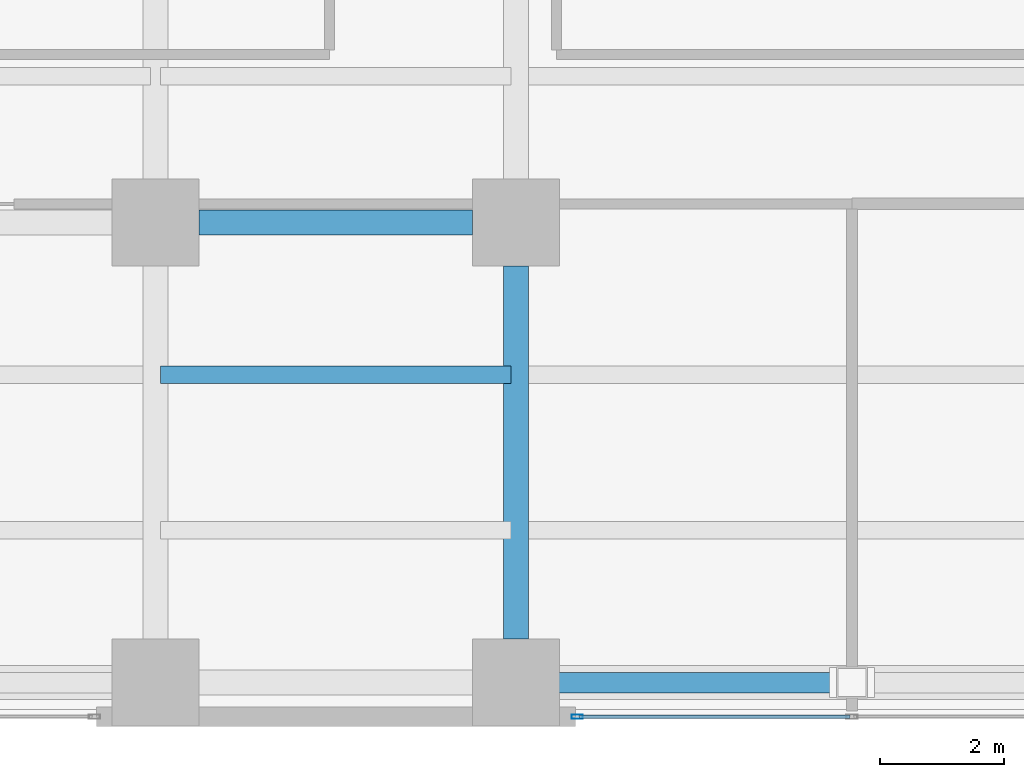
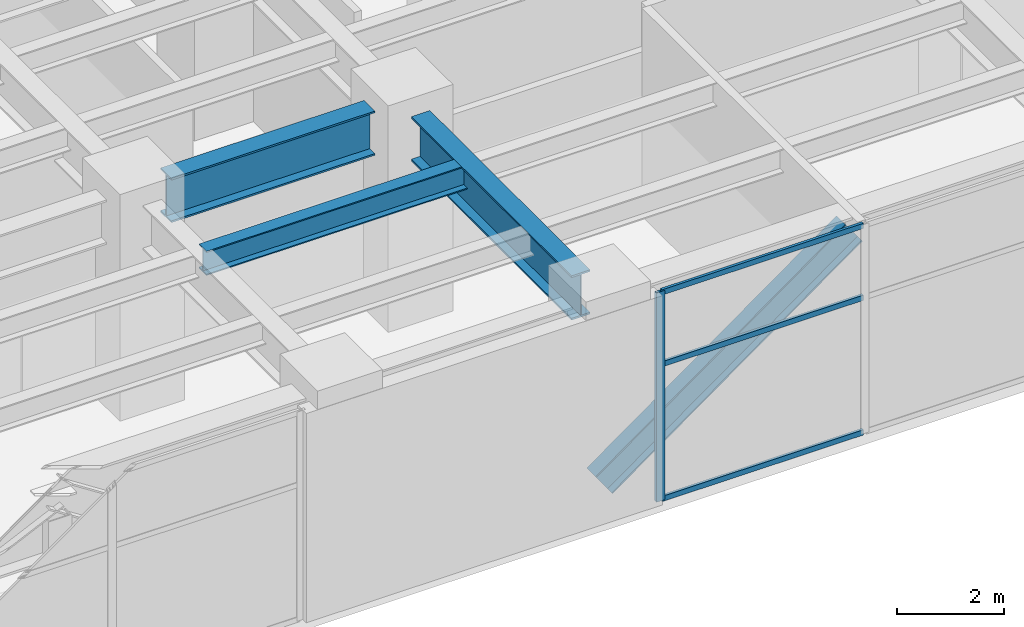
# One storey, part 6 of 29: 4 beams, 4 members, 1 element without a shape of its own.
"""IFC4 building model written with IfcOpenShell, lengths in metres."""

from ifc_helpers import new_model, si_unit, direction, frame, origin, origin_2d, place, context, subcontext, project, spatial, hollow_rectangle, i_section, extrude, material, layer, layer_set, material_profile, profile_set, type_object, element, aggregate, save


model = new_model("IFC4")

# Units and contexts
model_context = context("Model", 3, precision=1e-05, world=origin(), true_north=direction((0.0, 1.0)))
body_context = subcontext(model_context, "Body", "Model", "MODEL_VIEW")
ifc_project = project(units=[si_unit("LENGTHUNIT", "METRE"), si_unit("AREAUNIT", "SQUARE_METRE"), si_unit("VOLUMEUNIT", "CUBIC_METRE"), si_unit("PLANEANGLEUNIT", "RADIAN"), si_unit("MASSUNIT", "GRAM", prefix="KILO")], contexts=[model_context])

# Site, building, storey
site_placement = place(None, origin())
site = spatial("IfcSite", under=ifc_project, at=site_placement, CompositionType="ELEMENT")
building_placement = place(site_placement, origin())
building = spatial("IfcBuilding", under=site, at=building_placement, Name="Mawjaban Terraces University", CompositionType="ELEMENT")
storey_placement = place(building_placement, frame((0.0, 0.0, 20.800048828125)))
storey = spatial("IfcBuildingStorey", under=building, at=storey_placement, Name="L04", CompositionType="ELEMENT", Elevation=20.800048828125)

# Beams
ifc_material_1 = material(Name="Steel ASTM A913 Grade 65", Category="steel")
ifc_material_profile_1 = material_profile(ifc_material_1, i_section(OverallWidth=0.402099609375, OverallDepth=1.011962890625, WebThickness=0.02392578125, FlangeThickness=0.0400390625, at=origin_2d()), Name="W1000X443")
ifc_profile_set_1 = profile_set([ifc_material_profile_1], Name="Steel ASTM A913 Grade 65")
beam_type_1 = type_object("IfcBeamType", Name="Beam_B_W1000X443", PredefinedType="BEAM", material=ifc_profile_set_1)
beam_1_placement = place(storey_placement, frame((52.699951171875, 7.949951171875, 4.27392578125), z_axis=(1.0, 0.0, 0.0), x_axis=(0.0, 1.0, 0.0)))
element("IfcBeam", 1, at=beam_1_placement, inside=storey, type_object=beam_type_1, Name="L04 Beam BM-L04-EW-06", PredefinedType="BEAM", context=body_context, shape_type="SweptSolid", body=[
    extrude(i_section(OverallWidth=0.402099609375, OverallDepth=1.011962890625, WebThickness=0.02392578125, FlangeThickness=0.0400390625, at=origin_2d()), origin(), (0.0, 0.0, 1.0), 4.400146484375),
])
beam_2_placement = place(storey_placement, frame((57.800048828125, 1.25, 4.27392578125), z_axis=(0.0, 1.0, 0.0), x_axis=(-1.0, 0.0, 0.0)))
element("IfcBeam", 2, at=beam_2_placement, inside=storey, type_object=beam_type_1, Name="L04 Beam BM-L04-NS-17", PredefinedType="BEAM", context=body_context, shape_type="SweptSolid", body=[
    extrude(i_section(OverallWidth=0.402099609375, OverallDepth=1.011962890625, WebThickness=0.02392578125, FlangeThickness=0.0400390625, at=origin_2d()), origin(), (0.0, 0.0, 1.0), 6.0),
])
ifc_material_2 = material(Name="Steel ASTM A572 Grade 50", Category="steel")
ifc_material_profile_2 = material_profile(ifc_material_2, i_section(OverallWidth=0.281005859375, OverallDepth=0.551025390625, WebThickness=0.01513671875, FlangeThickness=0.02587890625, at=origin_2d()), Name="W530X182")
ifc_profile_set_2 = profile_set([ifc_material_profile_2], Name="Steel ASTM A572 Grade 50")
beam_type_2 = type_object("IfcBeamType", Name="Beam_J_W530X182", PredefinedType="JOIST", material=ifc_profile_set_2)
beam_3_placement = place(storey_placement, frame((52.080078125, 5.5, 4.50390625), z_axis=(1.0, 0.0, 0.0), x_axis=(0.0, 1.0, 0.0)))
element("IfcBeam", 3, at=beam_3_placement, inside=storey, type_object=beam_type_2, Name="L04 Composite Joist JST-L04-05", PredefinedType="JOIST", context=body_context, shape_type="SweptSolid", body=[
    extrude(i_section(OverallWidth=0.281005859375, OverallDepth=0.551025390625, WebThickness=0.01513671875, FlangeThickness=0.02587890625, at=origin_2d()), origin(), (0.0, 0.0, 1.0), 5.639892578125),
])
ifc_material_profile_3 = material_profile(ifc_material_1, i_section(OverallWidth=0.3291015625, OverallDepth=0.635009765625, WebThickness=0.017822265625, FlangeThickness=0.031005859375, at=origin_2d()), Name="W610X241")
ifc_profile_set_3 = profile_set([ifc_material_profile_3], Name="Steel ASTM A913 Grade 65")
beam_type_3 = type_object("IfcBeamType", Name="Beam_TTV_W610X241", PredefinedType="BEAM", material=ifc_profile_set_3)
beam_4_placement = place(storey_placement, frame((57.800048828125, 0.550048828125, 0.449951171875), z_axis=(0.812107803965, 0.0, 0.58350742475), x_axis=(0.0, 1.0, 0.0)))
element("IfcBeam", 4, at=beam_4_placement, inside=storey, type_object=beam_type_3, Name="L04 Exterior Portal Strut TP-S2-1", PredefinedType="BEAM", context=body_context, shape_type="SweptSolid", body=[
    extrude(i_section(OverallWidth=0.3291015625, OverallDepth=0.635009765625, WebThickness=0.017822265625, FlangeThickness=0.031005859375, at=origin_2d()), origin(), (0.0, 0.0, 1.0), 6.649169921875),
])

# Curtain wall, members
ifc_material_3 = material(Name="Anodised aluminium 6063-T6 and solar-control low-E glass", Category="aluminium")
ifc_layer = layer(ifc_material_3, 0.175048828125)
ifc_layer_set = layer_set([ifc_layer], Name="Anodised aluminium 6063-T6 and solar-control low-E glass")
curtain_wall_type = type_object("IfcCurtainWallType", Name="CWSystem_02_PodiumLibrary", PredefinedType="NOTDEFINED", material=ifc_layer_set)
curtain_wall_placement = place(storey_placement, origin())
curtain_wall = element("IfcCurtainWall", 5, at=curtain_wall_placement, inside=storey, type_object=curtain_wall_type, Name="L04 Curtain Wall CW-02 Run 1.3", PredefinedType="NOTDEFINED")
ifc_material_4 = material(Name="Anodised aluminium 6063-T6", Category="aluminium")
ifc_material_profile_4 = material_profile(ifc_material_4, hollow_rectangle(XDim=0.06494140625, YDim=0.179931640625, WallThickness=0.00390625, at=origin_2d()), Name="ALU180X65X4")
ifc_profile_set_4 = profile_set([ifc_material_profile_4], Name="Anodised aluminium 6063-T6")
member_type_1 = type_object("IfcMemberType", Name="Mullion_CW-02", PredefinedType="MULLION", material=ifc_profile_set_4)
member_1_placement = place(storey_placement, frame((58.782470703125, 0.0, 0.0), z_axis=(0.0, 0.0, 1.0), x_axis=(0.0, 1.0, 0.0)))
member_1 = element("IfcMember", 6, at=member_1_placement, type_object=member_type_1, Name="CW-02 mullion 1", PredefinedType="MULLION", context=body_context, shape_type="SweptSolid", body=[
    extrude(hollow_rectangle(XDim=0.06494140625, YDim=0.179931640625, WallThickness=0.00390625, at=origin_2d()), origin(), (0.0, 0.0, 1.0), 4.780029296875),
])
ifc_material_profile_5 = material_profile(ifc_material_4, hollow_rectangle(XDim=0.06005859375, YDim=0.1201171875, WallThickness=0.00341796875, at=origin_2d()), Name="ALU120X60X3.5")
ifc_profile_set_5 = profile_set([ifc_material_profile_5], Name="Anodised aluminium 6063-T6")
member_type_2 = type_object("IfcMemberType", Name="Transom_CW-02", PredefinedType="NOTDEFINED", material=ifc_profile_set_5)
member_2_placement = place(storey_placement, frame((58.81494140625, 0.0, 0.030029296875), z_axis=(1.0, 0.0, 0.0), x_axis=(0.0, 1.0, 0.0)))
member_2 = element("IfcMember", 7, at=member_2_placement, type_object=member_type_2, Name="CW-02 transom 1.1", ObjectType="TRANSOM", PredefinedType="USERDEFINED", context=body_context, shape_type="SweptSolid", body=[
    extrude(hollow_rectangle(XDim=0.06005859375, YDim=0.1201171875, WallThickness=0.00341796875, at=origin_2d()), origin(), (0.0, 0.0, 1.0), 4.3525390625),
])
member_3_placement = place(storey_placement, frame((58.81494140625, 0.0, 3.10693359375), z_axis=(1.0, 0.0, 0.0), x_axis=(0.0, 1.0, 0.0)))
member_3 = element("IfcMember", 8, at=member_3_placement, type_object=member_type_2, Name="CW-02 transom 1.2", ObjectType="TRANSOM", PredefinedType="USERDEFINED", context=body_context, shape_type="SweptSolid", body=[
    extrude(hollow_rectangle(XDim=0.06005859375, YDim=0.1201171875, WallThickness=0.00341796875, at=origin_2d()), origin(), (0.0, 0.0, 1.0), 4.3525390625),
])
member_4_placement = place(storey_placement, frame((58.81494140625, 0.0, 4.75), z_axis=(1.0, 0.0, 0.0), x_axis=(0.0, 1.0, 0.0)))
member_4 = element("IfcMember", 9, at=member_4_placement, type_object=member_type_2, Name="CW-02 transom 1.3", ObjectType="TRANSOM", PredefinedType="USERDEFINED", context=body_context, shape_type="SweptSolid", body=[
    extrude(hollow_rectangle(XDim=0.06005859375, YDim=0.1201171875, WallThickness=0.00341796875, at=origin_2d()), origin(), (0.0, 0.0, 1.0), 4.3525390625),
])
aggregate(curtain_wall, [member_1, member_2, member_3, member_4])

save(model, "model.ifc")
